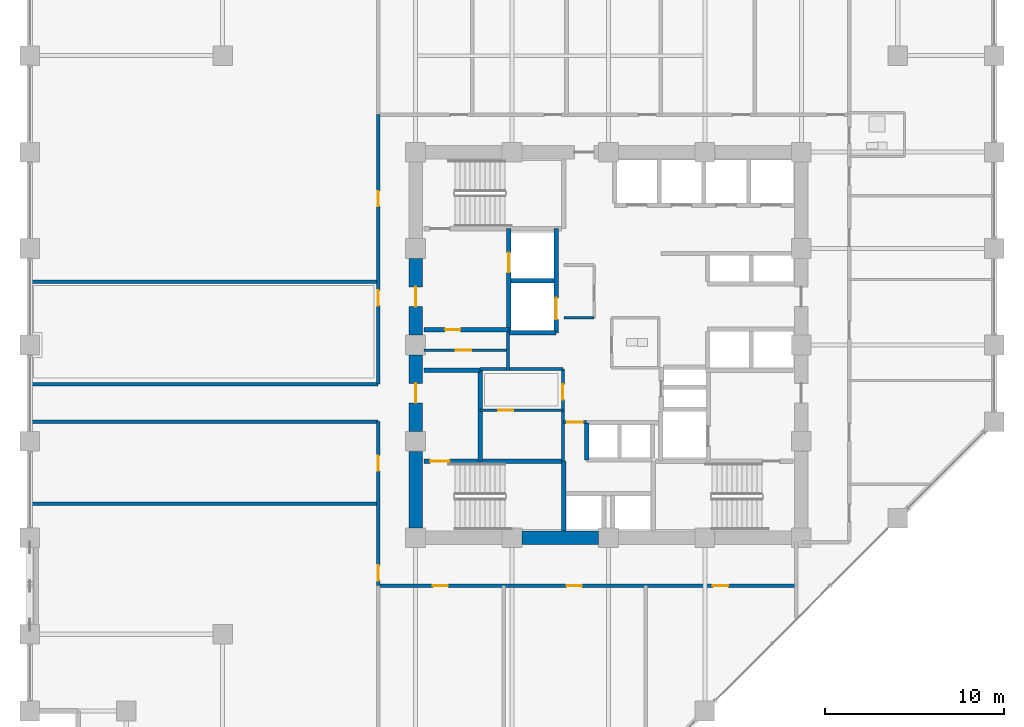
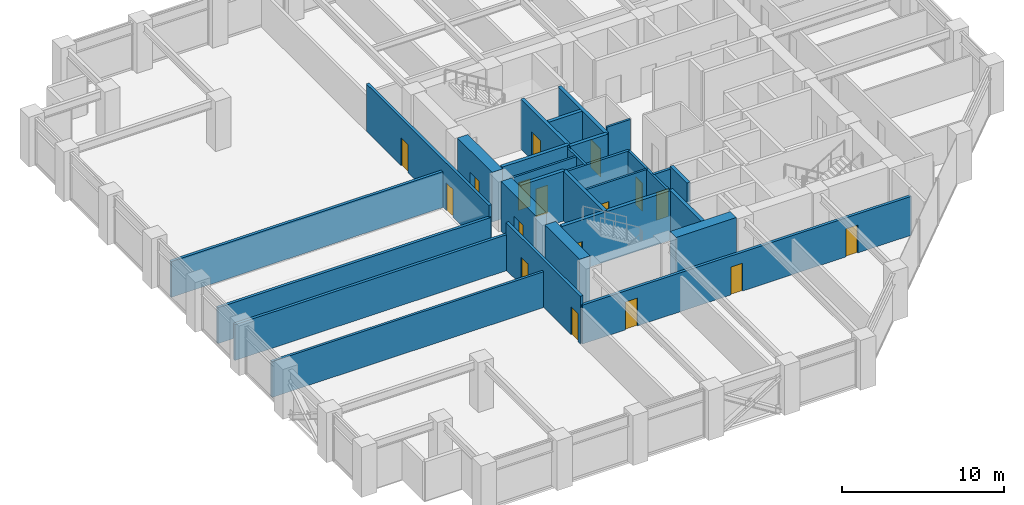
# One storey, part 19 of 25: 28 walls, 17 doors, 17 openings.
"""IFC4 building model written with IfcOpenShell, lengths in metres."""

from ifc_helpers import new_model, si_unit, direction, frame, frame_2d, origin, place, context, subcontext, project, spatial, rectangle, extrude, material, layer, layer_set, type_object, element, fill, save


model = new_model("IFC4")

# Units and contexts
model_context = context("Model", 3, precision=1e-05, world=origin(), true_north=direction((0.0, 1.0)))
body_context = subcontext(model_context, "Body", "Model", "MODEL_VIEW")
ifc_project = project(units=[si_unit("LENGTHUNIT", "METRE"), si_unit("AREAUNIT", "SQUARE_METRE"), si_unit("VOLUMEUNIT", "CUBIC_METRE"), si_unit("PLANEANGLEUNIT", "RADIAN"), si_unit("MASSUNIT", "GRAM", prefix="KILO")], contexts=[model_context])

# Site, building, storey
site_placement = place(None, origin())
site = spatial("IfcSite", under=ifc_project, at=site_placement, CompositionType="ELEMENT")
building_placement = place(site_placement, origin())
building = spatial("IfcBuilding", under=site, at=building_placement, Name="Surkhivell Harbour Commons", CompositionType="ELEMENT")
storey_placement = place(building_placement, frame((0.0, 0.0, 120.75)))
storey = spatial("IfcBuildingStorey", under=building, at=storey_placement, Name="L31", CompositionType="ELEMENT", Elevation=120.75)

# Walls
ifc_material_1 = material(Name="Concrete C60/75", Category="concrete")
ifc_layer_1 = layer(ifc_material_1, 0.75)
ifc_layer_set_1 = layer_set([ifc_layer_1], Name="Concrete C60/75")
wall_type_1 = type_object("IfcWallType", Name="WAL-CORE-750", PredefinedType="SHEAR", material=ifc_layer_set_1)
for number, where, z_axis, x_axis, name in (
    (1, (-10.800048828125, -10.239990234375, 0.0), (0.0, 0.0, 1.0), (0.0, 1.0, 0.0), "L31 Core Shear Wall West 1"),
    (2, (-4.840087890625, -10.800048828125, 0.0), (0.0, 0.0, 1.0), (1.0, 0.0, 0.0), "L31 Core Shear Wall South 2"),
):
    element("IfcWall", number, at=place(storey_placement, frame(where, z_axis=z_axis, x_axis=x_axis)), inside=storey, type_object=wall_type_1, Name=name, PredefinedType="SHEAR", context=body_context, shape_type="SweptSolid", body=[
        extrude(rectangle(XDim=4.280029296875, YDim=0.75, at=frame_2d((2.14013671875, 0.0))), origin(), (0.0, 0.0, 1.0), 3.75),
    ])

# Wall, opening, door
wall_1_placement = place(storey_placement, frame((-10.800048828125, -4.840087890625, 0.0), z_axis=(0.0, 0.0, 1.0), x_axis=(0.0, 1.0, 0.0)))
wall_1 = element("IfcWall", 3, at=wall_1_placement, inside=storey, type_object=wall_type_1, Name="L31 Core Shear Wall West 2", PredefinedType="SHEAR", context=body_context, shape_type="SweptSolid", body=[
    extrude(rectangle(XDim=4.280029296875, YDim=0.75, at=frame_2d((2.14013671875, 0.0))), origin(), (0.0, 0.0, 1.0), 3.75),
])
opening_1_placement = place(wall_1_placement, frame((1.590087890625, 0.0, 0.0)))
opening_1 = element("IfcOpeningElement", 4, at=opening_1_placement, cuts=wall_1, Name="Opening ID-2", PredefinedType="OPENING", context=body_context, shape_type="SweptSolid", body=[
    extrude(rectangle(XDim=1.10009765625, YDim=2.10009765625, at=frame_2d((0.550048828125, 1.050048828125))), frame((0.0, 0.385009765625, 0.0), z_axis=(0.0, -1.0, 0.0), x_axis=(1.0, 0.0, 0.0)), (0.0, 0.0, 1.0), 0.77001953125),
])
ifc_material_2 = material(Name="Hardwood-veneered fire-rated door leaf", Category="wood")
door_type_1 = type_object("IfcDoorType", Name="DOR-FD60-1100", OperationType="NOTDEFINED", PredefinedType="DOOR", material=ifc_material_2)
door_1_placement = place(opening_1_placement, origin())
door_1 = element("IfcDoor", 5, at=door_1_placement, inside=storey, type_object=door_type_1, Name="L31 Stair 3 Lobby Corridor Door", OperationType="SINGLE_SWING_LEFT", OverallHeight=2.10009765625, OverallWidth=1.10009765625, PredefinedType="DOOR", context=body_context, shape_type="SweptSolid", body=[
    extrude(rectangle(XDim=1.10009765625, YDim=2.10009765625, at=frame_2d((0.550048828125, 1.050048828125))), frame((0.0, 0.02490234375, 0.0), z_axis=(0.0, -1.0, 0.0), x_axis=(1.0, 0.0, 0.0)), (0.0, 0.0, 1.0), 0.050048828125),
])
fill(opening_1, door_1)

wall_2_placement = place(storey_placement, frame((-10.800048828125, 0.56005859375, 0.0), z_axis=(0.0, 0.0, 1.0), x_axis=(0.0, 1.0, 0.0)))
wall_2 = element("IfcWall", 6, at=wall_2_placement, inside=storey, type_object=wall_type_1, Name="L31 Core Shear Wall West 3", PredefinedType="SHEAR", context=body_context, shape_type="SweptSolid", body=[
    extrude(rectangle(XDim=4.280029296875, YDim=0.75, at=frame_2d((2.14013671875, 0.0))), origin(), (0.0, 0.0, 1.0), 3.75),
])
opening_2_placement = place(wall_2_placement, frame((1.590087890625, 0.0, 0.0)))
opening_2 = element("IfcOpeningElement", 7, at=opening_2_placement, cuts=wall_2, Name="Opening ID-1", PredefinedType="OPENING", context=body_context, shape_type="SweptSolid", body=[
    extrude(rectangle(XDim=1.10009765625, YDim=2.10009765625, at=frame_2d((0.550048828125, 1.050048828125))), frame((0.0, 0.385009765625, 0.0), z_axis=(0.0, -1.0, 0.0), x_axis=(1.0, 0.0, 0.0)), (0.0, 0.0, 1.0), 0.77001953125),
])
door_type_2 = type_object("IfcDoorType", Name="DOR-FD120-1100", OperationType="NOTDEFINED", PredefinedType="DOOR", material=ifc_material_2)
door_2_placement = place(opening_2_placement, origin())
door_2 = element("IfcDoor", 8, at=door_2_placement, inside=storey, type_object=door_type_2, Name="L31 Firefighting Lobby 1 Corridor Door", OperationType="SINGLE_SWING_LEFT", OverallHeight=2.10009765625, OverallWidth=1.10009765625, PredefinedType="DOOR", context=body_context, shape_type="SweptSolid", body=[
    extrude(rectangle(XDim=1.10009765625, YDim=2.10009765625, at=frame_2d((0.550048828125, 1.050048828125))), frame((0.0, 0.02490234375, 0.0), z_axis=(0.0, -1.0, 0.0), x_axis=(1.0, 0.0, 0.0)), (0.0, 0.0, 1.0), 0.050048828125),
])
fill(opening_2, door_2)

ifc_material_3 = material(Name="Twin-stud acoustic fireboard partition", Category="other")
ifc_layer_2 = layer(ifc_material_3, 0.14990234375)
ifc_layer_set_2 = layer_set([ifc_layer_2], Name="Twin-stud acoustic fireboard partition")
wall_type_2 = type_object("IfcWallType", Name="WAL-INT-150", PredefinedType="PARTITIONING", material=ifc_layer_set_2)
wall_3_placement = place(storey_placement, frame((-7.179931640625, -3.64990234375, 0.0), z_axis=(0.0, 0.0, 1.0), x_axis=(1.0, 0.0, 0.0)))
wall_3 = element("IfcWall", 9, at=wall_3_placement, inside=storey, type_object=wall_type_2, Name="L31 Core Cut C1 Partition", PredefinedType="PARTITIONING", context=body_context, shape_type="SweptSolid", body=[
    extrude(rectangle(XDim=4.6298828125, YDim=0.14990234375, at=frame_2d((2.31494140625, 0.0))), origin(), (0.0, 0.0, 1.0), 3.570068359375),
])
opening_3_placement = place(wall_3_placement, frame((1.0, 0.0, 0.0)))
opening_3 = element("IfcOpeningElement", 10, at=opening_3_placement, cuts=wall_3, Name="Opening ID-6", PredefinedType="OPENING", context=body_context, shape_type="SweptSolid", body=[
    extrude(rectangle(XDim=0.85009765625, YDim=2.10009765625, at=frame_2d((0.425048828125, 1.050048828125))), frame((0.0, 0.0849609375, 0.0), z_axis=(0.0, -1.0, 0.0), x_axis=(1.0, 0.0, 0.0)), (0.0, 0.0, 1.0), 0.169921875),
])
door_type_3 = type_object("IfcDoorType", Name="DOR-FD30-850", OperationType="NOTDEFINED", PredefinedType="DOOR", material=ifc_material_2)
door_3_placement = place(opening_3_placement, origin())
door_3 = element("IfcDoor", 11, at=door_3_placement, inside=storey, type_object=door_type_3, Name="L31 Cleaner Room Door", OperationType="SINGLE_SWING_LEFT", OverallHeight=2.10009765625, OverallWidth=0.85009765625, PredefinedType="DOOR", context=body_context, shape_type="SweptSolid", body=[
    extrude(rectangle(XDim=0.85009765625, YDim=2.10009765625, at=frame_2d((0.425048828125, 1.050048828125))), frame((0.0, 0.02490234375, 0.0), z_axis=(0.0, -1.0, 0.0), x_axis=(1.0, 0.0, 0.0)), (0.0, 0.0, 1.0), 0.050048828125),
])
fill(opening_3, door_3)

wall_4_placement = place(storey_placement, frame((-10.340087890625, -0.2900390625, 0.0), z_axis=(0.0, 0.0, 1.0), x_axis=(1.0, 0.0, 0.0)))
wall_4 = element("IfcWall", 12, at=wall_4_placement, inside=storey, type_object=wall_type_2, Name="L31 West Core Horizontal Cut", PredefinedType="PARTITIONING", context=body_context, shape_type="SweptSolid", body=[
    extrude(rectangle(XDim=4.719970703125, YDim=0.14990234375, at=frame_2d((2.35986328125, 0.0))), origin(), (0.0, 0.0, 1.0), 3.570068359375),
])
opening_4_placement = place(wall_4_placement, frame((1.800048828125, 0.0, 0.0)))
opening_4 = element("IfcOpeningElement", 13, at=opening_4_placement, cuts=wall_4, Name="Opening ID-6", PredefinedType="OPENING", context=body_context, shape_type="SweptSolid", body=[
    extrude(rectangle(XDim=0.85009765625, YDim=2.10009765625, at=frame_2d((0.425048828125, 1.050048828125))), frame((0.0, 0.0849609375, 0.0), z_axis=(0.0, -1.0, 0.0), x_axis=(1.0, 0.0, 0.0)), (0.0, 0.0, 1.0), 0.169921875),
])
door_4_placement = place(opening_4_placement, origin())
door_4 = element("IfcDoor", 14, at=door_4_placement, inside=storey, type_object=door_type_3, Name="L31 West Music Pod Door", OperationType="SINGLE_SWING_RIGHT", OverallHeight=2.10009765625, OverallWidth=0.85009765625, PredefinedType="DOOR", context=body_context, shape_type="SweptSolid", body=[
    extrude(rectangle(XDim=0.85009765625, YDim=2.10009765625, at=frame_2d((0.425048828125, 1.050048828125))), frame((0.0, 0.02490234375, 0.0), z_axis=(0.0, -1.0, 0.0), x_axis=(1.0, 0.0, 0.0)), (0.0, 0.0, 1.0), 0.050048828125),
])
fill(opening_4, door_4)

# Wall
wall_5_placement = place(storey_placement, frame((-2.47998046875, 1.52001953125, 0.0), z_axis=(0.0, 0.0, 1.0), x_axis=(1.0, 0.0, 0.0)))
element("IfcWall", 15, at=wall_5_placement, inside=storey, type_object=wall_type_2, Name="L31 Core Seminar South Wall", PredefinedType="PARTITIONING", context=body_context, shape_type="SweptSolid", body=[
    extrude(rectangle(XDim=1.679931640625, YDim=0.14990234375, at=frame_2d((0.83984375, 0.0))), origin(), (0.0, 0.0, 1.0), 3.570068359375),
])

# Wall, opening, door
ifc_material_4 = material(Name="High-density acoustic blockwork fire partition", Category="masonry")
ifc_layer_3 = layer(ifc_material_4, 0.175048828125)
ifc_layer_set_3 = layer_set([ifc_layer_3], Name="High-density acoustic blockwork fire partition")
wall_type_3 = type_object("IfcWallType", Name="WAL-INT-175", PredefinedType="PARTITIONING", material=ifc_layer_set_3)
wall_6_placement = place(storey_placement, frame((-2.550048828125, -6.510009765625, 0.0), z_axis=(0.0, 0.0, 1.0), x_axis=(0.0, 1.0, 0.0)))
wall_6 = element("IfcWall", 16, at=wall_6_placement, inside=storey, type_object=wall_type_3, Name="L31 Core Service Bay East Wall", PredefinedType="PARTITIONING", context=body_context, shape_type="SweptSolid", body=[
    extrude(rectangle(XDim=5.159912109375, YDim=0.175048828125, at=frame_2d((2.580078125, 0.0))), origin(), (0.0, 0.0, 1.0), 3.570068359375),
])
opening_5_placement = place(wall_6_placement, frame((3.449951171875, 0.0, 0.0)))
opening_5 = element("IfcOpeningElement", 17, at=opening_5_placement, cuts=wall_6, Name="Opening ID-6", PredefinedType="OPENING", context=body_context, shape_type="SweptSolid", body=[
    extrude(rectangle(XDim=0.85009765625, YDim=2.10009765625, at=frame_2d((0.425048828125, 1.050048828125))), frame((0.0, 0.097412109375, 0.0), z_axis=(0.0, -1.0, 0.0), x_axis=(1.0, 0.0, 0.0)), (0.0, 0.0, 1.0), 0.195068359375),
])
door_5_placement = place(opening_5_placement, origin())
door_5 = element("IfcDoor", 18, at=door_5_placement, inside=storey, type_object=door_type_3, Name="L31 Core Seminar Door", OperationType="SINGLE_SWING_LEFT", OverallHeight=2.10009765625, OverallWidth=0.85009765625, PredefinedType="DOOR", context=body_context, shape_type="SweptSolid", body=[
    extrude(rectangle(XDim=0.85009765625, YDim=2.10009765625, at=frame_2d((0.425048828125, 1.050048828125))), frame((0.0, 0.02490234375, 0.0), z_axis=(0.0, -1.0, 0.0), x_axis=(1.0, 0.0, 0.0)), (0.0, 0.0, 1.0), 0.050048828125),
])
fill(opening_5, door_5)

# Walls
wall_7_placement = place(storey_placement, frame((-7.179931640625, -1.35009765625, 0.0), z_axis=(0.0, 0.0, 1.0), x_axis=(1.0, 0.0, 0.0)))
element("IfcWall", 19, at=wall_7_placement, inside=storey, type_object=wall_type_3, Name="L31 Core Service Bay North Wall", PredefinedType="PARTITIONING", context=body_context, shape_type="SweptSolid", body=[
    extrude(rectangle(XDim=4.6298828125, YDim=0.175048828125, at=frame_2d((2.31494140625, 0.0))), origin(), (0.0, 0.0, 1.0), 3.570068359375),
])
wall_8_placement = place(storey_placement, frame((-5.6201171875, -1.419921875, 0.0), z_axis=(0.0, 0.0, 1.0), x_axis=(0.0, 1.0, 0.0)))
element("IfcWall", 20, at=wall_8_placement, inside=storey, type_object=wall_type_3, Name="L31 West Core Bay East Wall", PredefinedType="PARTITIONING", context=body_context, shape_type="SweptSolid", body=[
    extrude(rectangle(XDim=2.139892578125, YDim=0.175048828125, at=frame_2d((1.06982421875, 0.0))), origin(), (0.0, 0.0, 1.0), 3.570068359375),
])

# Wall, opening, door
wall_9_placement = place(storey_placement, frame((-2.52001953125, -4.320068359375, 0.0), z_axis=(0.0, 0.0, 1.0), x_axis=(1.0, 0.0, 0.0)))
wall_9 = element("IfcWall", 21, at=wall_9_placement, inside=storey, type_object=wall_type_3, Name="L31 High-Rise Lobby North Portal Wall", PredefinedType="PARTITIONING", context=body_context, shape_type="SweptSolid", body=[
    extrude(rectangle(XDim=1.300048828125, YDim=0.175048828125, at=frame_2d((0.64990234375, 0.0))), origin(), (0.0, 0.0, 1.0), 3.570068359375),
])
opening_6_placement = place(wall_9_placement, frame((0.219970703125, 0.0, 0.0)))
opening_6 = element("IfcOpeningElement", 22, at=opening_6_placement, cuts=wall_9, Name="Opening ID-6", PredefinedType="OPENING", context=body_context, shape_type="SweptSolid", body=[
    extrude(rectangle(XDim=0.85009765625, YDim=2.10009765625, at=frame_2d((0.425048828125, 1.050048828125))), frame((0.0, 0.097412109375, 0.0), z_axis=(0.0, -1.0, 0.0), x_axis=(1.0, 0.0, 0.0)), (0.0, 0.0, 1.0), 0.195068359375),
])
door_6_placement = place(opening_6_placement, origin())
door_6 = element("IfcDoor", 23, at=door_6_placement, inside=storey, type_object=door_type_3, Name="L31 High-Rise Lift Lobby North Door", OperationType="SINGLE_SWING_LEFT", OverallHeight=2.10009765625, OverallWidth=0.85009765625, PredefinedType="DOOR", context=body_context, shape_type="SweptSolid", body=[
    extrude(rectangle(XDim=0.85009765625, YDim=2.10009765625, at=frame_2d((0.425048828125, 1.050048828125))), frame((0.0, 0.02490234375, 0.0), z_axis=(0.0, -1.0, 0.0), x_axis=(1.0, 0.0, 0.0)), (0.0, 0.0, 1.0), 0.050048828125),
])
fill(opening_6, door_6)

# Wall
wall_10_placement = place(storey_placement, frame((-32.340087890625, -8.889892578125, 0.0), z_axis=(0.0, 0.0, 1.0), x_axis=(1.0, 0.0, 0.0)))
element("IfcWall", 24, at=wall_10_placement, inside=storey, type_object=wall_type_3, Name="L31 South-West Partition P1", PredefinedType="PARTITIONING", context=body_context, shape_type="SweptSolid", body=[
    extrude(rectangle(XDim=19.440185546875, YDim=0.175048828125, at=frame_2d((9.72021484375, 0.0))), origin(), (0.0, 0.0, 1.0), 2.698974609375),
])

# Wall, openings, doors
ifc_material_5 = material(Name="Autoclaved aerated concrete blockwork and fire plaster", Category="masonry")
ifc_layer_4 = layer(ifc_material_5, 0.199951171875)
ifc_layer_set_4 = layer_set([ifc_layer_4], Name="Autoclaved aerated concrete blockwork and fire plaster")
wall_type_4 = type_object("IfcWallType", Name="WAL-INT-200", PredefinedType="PARTITIONING", material=ifc_layer_set_4)
wall_11_placement = place(storey_placement, frame((-12.89990234375, -13.47998046875, 0.0), z_axis=(0.0, 0.0, 1.0), x_axis=(1.0, 0.0, 0.0)))
wall_11 = element("IfcWall", 25, at=wall_11_placement, inside=storey, type_object=wall_type_4, Name="L31 Corridor South Wall", PredefinedType="PARTITIONING", context=body_context, shape_type="SweptSolid", body=[
    extrude(rectangle(XDim=23.419921875, YDim=0.199951171875, at=frame_2d((11.7099609375, 0.0))), origin(), (0.0, 0.0, 1.0), 2.93310546875),
])
opening_7_placement = place(wall_11_placement, frame((3.06494140625, 0.0, 0.0)))
opening_7 = element("IfcOpeningElement", 26, at=opening_7_placement, cuts=wall_11, Name="Opening ID-6", PredefinedType="OPENING", context=body_context, shape_type="SweptSolid", body=[
    extrude(rectangle(XDim=0.85009765625, YDim=2.10009765625, at=frame_2d((0.425048828125, 1.050048828125))), frame((0.0, 0.10986328125, 0.0), z_axis=(0.0, -1.0, 0.0), x_axis=(1.0, 0.0, 0.0)), (0.0, 0.0, 1.0), 0.219970703125),
])
opening_8_placement = place(wall_11_placement, frame((10.56005859375, 0.0, 0.0)))
opening_8 = element("IfcOpeningElement", 27, at=opening_8_placement, cuts=wall_11, Name="Opening ID-6", PredefinedType="OPENING", context=body_context, shape_type="SweptSolid", body=[
    extrude(rectangle(XDim=0.85009765625, YDim=2.10009765625, at=frame_2d((0.425048828125, 1.050048828125))), frame((0.0, 0.10986328125, 0.0), z_axis=(0.0, -1.0, 0.0), x_axis=(1.0, 0.0, 0.0)), (0.0, 0.0, 1.0), 0.219970703125),
])
opening_9_placement = place(wall_11_placement, frame((18.7548828125, 0.0, 0.0)))
opening_9 = element("IfcOpeningElement", 28, at=opening_9_placement, cuts=wall_11, Name="Opening ID-6", PredefinedType="OPENING", context=body_context, shape_type="SweptSolid", body=[
    extrude(rectangle(XDim=0.85009765625, YDim=2.10009765625, at=frame_2d((0.425048828125, 1.050048828125))), frame((0.0, 0.10986328125, 0.0), z_axis=(0.0, -1.0, 0.0), x_axis=(1.0, 0.0, 0.0)), (0.0, 0.0, 1.0), 0.219970703125),
])
door_7_placement = place(opening_7_placement, origin())
door_7 = element("IfcDoor", 29, at=door_7_placement, inside=storey, type_object=door_type_3, Name="L31 Resident Tutor Staff Room 1 South Door", OperationType="SINGLE_SWING_LEFT", OverallHeight=2.10009765625, OverallWidth=0.85009765625, PredefinedType="DOOR", context=body_context, shape_type="SweptSolid", body=[
    extrude(rectangle(XDim=0.85009765625, YDim=2.10009765625, at=frame_2d((0.425048828125, 1.050048828125))), frame((0.0, 0.02490234375, 0.0), z_axis=(0.0, -1.0, 0.0), x_axis=(1.0, 0.0, 0.0)), (0.0, 0.0, 1.0), 0.050048828125),
])
fill(opening_7, door_7)
door_8_placement = place(opening_8_placement, origin())
door_8 = element("IfcDoor", 30, at=door_8_placement, inside=storey, type_object=door_type_3, Name="L31 Resident Warden Staff Office 2 South Door", OperationType="SINGLE_SWING_RIGHT", OverallHeight=2.10009765625, OverallWidth=0.85009765625, PredefinedType="DOOR", context=body_context, shape_type="SweptSolid", body=[
    extrude(rectangle(XDim=0.85009765625, YDim=2.10009765625, at=frame_2d((0.425048828125, 1.050048828125))), frame((0.0, 0.02490234375, 0.0), z_axis=(0.0, -1.0, 0.0), x_axis=(1.0, 0.0, 0.0)), (0.0, 0.0, 1.0), 0.050048828125),
])
fill(opening_8, door_8)
door_9_placement = place(opening_9_placement, origin())
door_9 = element("IfcDoor", 31, at=door_9_placement, inside=storey, type_object=door_type_3, Name="L31 Campus Bursar Staff Office 3 South Door", OperationType="SINGLE_SWING_LEFT", OverallHeight=2.10009765625, OverallWidth=0.85009765625, PredefinedType="DOOR", context=body_context, shape_type="SweptSolid", body=[
    extrude(rectangle(XDim=0.85009765625, YDim=2.10009765625, at=frame_2d((0.425048828125, 1.050048828125))), frame((0.0, 0.02490234375, 0.0), z_axis=(0.0, -1.0, 0.0), x_axis=(1.0, 0.0, 0.0)), (0.0, 0.0, 1.0), 0.050048828125),
])
fill(opening_9, door_9)

# Walls
for number, where, z_axis, x_axis, name in (
    (32, (-32.340087890625, -2.199951171875, 0.0), (0.0, 0.0, 1.0), (1.0, 0.0, 0.0), "L31 West Alcove North Wall"),
    (33, (-32.340087890625, -4.300048828125, 0.0), (0.0, 0.0, 1.0), (1.0, 0.0, 0.0), "L31 West Alcove South Wall"),
):
    element("IfcWall", number, at=place(storey_placement, frame(where, z_axis=z_axis, x_axis=x_axis)), inside=storey, type_object=wall_type_4, Name=name, PredefinedType="PARTITIONING", context=body_context, shape_type="SweptSolid", body=[
        extrude(rectangle(XDim=19.440185546875, YDim=0.199951171875, at=frame_2d((9.72021484375, 0.0))), origin(), (0.0, 0.0, 1.0), 2.698974609375),
    ])

# Wall, openings, doors
wall_12_placement = place(storey_placement, frame((-12.89990234375, -2.199951171875, 0.0), z_axis=(0.0, 0.0, 1.0), x_axis=(0.0, 1.0, 0.0)))
wall_12 = element("IfcWall", 34, at=wall_12_placement, inside=storey, type_object=wall_type_4, Name="L31 Corridor West-Upper Wall", PredefinedType="PARTITIONING", context=body_context, shape_type="SweptSolid", body=[
    extrude(rectangle(XDim=15.099853515625, YDim=0.199951171875, at=frame_2d((7.5498046875, 0.0))), origin(), (0.0, 0.0, 1.0), 3.570068359375),
])
opening_10_placement = place(wall_12_placement, frame((4.40380859375, 0.0, 0.0)))
opening_10 = element("IfcOpeningElement", 35, at=opening_10_placement, cuts=wall_12, Name="Opening ID-6", PredefinedType="OPENING", context=body_context, shape_type="SweptSolid", body=[
    extrude(rectangle(XDim=0.85009765625, YDim=2.10009765625, at=frame_2d((0.425048828125, 1.050048828125))), frame((0.0, 0.10986328125, 0.0), z_axis=(0.0, -1.0, 0.0), x_axis=(1.0, 0.0, 0.0)), (0.0, 0.0, 1.0), 0.219970703125),
])
opening_11_placement = place(wall_12_placement, frame((9.969970703125, 0.0, 0.0)))
opening_11 = element("IfcOpeningElement", 36, at=opening_11_placement, cuts=wall_12, Name="Opening ID-6", PredefinedType="OPENING", context=body_context, shape_type="SweptSolid", body=[
    extrude(rectangle(XDim=0.85009765625, YDim=2.10009765625, at=frame_2d((0.425048828125, 1.050048828125))), frame((0.0, 0.10986328125, 0.0), z_axis=(0.0, -1.0, 0.0), x_axis=(1.0, 0.0, 0.0)), (0.0, 0.0, 1.0), 0.219970703125),
])
door_10_placement = place(opening_10_placement, origin())
door_10 = element("IfcDoor", 37, at=door_10_placement, inside=storey, type_object=door_type_3, Name="L31 Harbour Reading Library North-West Door", OperationType="SINGLE_SWING_RIGHT", OverallHeight=2.10009765625, OverallWidth=0.85009765625, PredefinedType="DOOR", context=body_context, shape_type="SweptSolid", body=[
    extrude(rectangle(XDim=0.85009765625, YDim=2.10009765625, at=frame_2d((0.425048828125, 1.050048828125))), frame((0.0, 0.02490234375, 0.0), z_axis=(0.0, -1.0, 0.0), x_axis=(1.0, 0.0, 0.0)), (0.0, 0.0, 1.0), 0.050048828125),
])
fill(opening_10, door_10)
door_11_placement = place(opening_11_placement, origin())
door_11 = element("IfcDoor", 38, at=door_11_placement, inside=storey, type_object=door_type_3, Name="L31 Communal Dining Hall North-West Door", OperationType="SINGLE_SWING_LEFT", OverallHeight=2.10009765625, OverallWidth=0.85009765625, PredefinedType="DOOR", context=body_context, shape_type="SweptSolid", body=[
    extrude(rectangle(XDim=0.85009765625, YDim=2.10009765625, at=frame_2d((0.425048828125, 1.050048828125))), frame((0.0, 0.02490234375, 0.0), z_axis=(0.0, -1.0, 0.0), x_axis=(1.0, 0.0, 0.0)), (0.0, 0.0, 1.0), 0.050048828125),
])
fill(opening_11, door_11)

wall_13_placement = place(storey_placement, frame((-12.89990234375, -13.47998046875, 0.0), z_axis=(0.0, 0.0, 1.0), x_axis=(0.0, 1.0, 0.0)))
wall_13 = element("IfcWall", 39, at=wall_13_placement, inside=storey, type_object=wall_type_4, Name="L31 Corridor West-Lower Wall", PredefinedType="PARTITIONING", context=body_context, shape_type="SweptSolid", body=[
    extrude(rectangle(XDim=9.179931640625, YDim=0.199951171875, at=frame_2d((4.58984375, 0.0))), origin(), (0.0, 0.0, 1.0), 3.570068359375),
])
opening_12_placement = place(wall_13_placement, frame((0.280029296875, 0.0, 0.0)))
opening_12 = element("IfcOpeningElement", 40, at=opening_12_placement, cuts=wall_13, Name="Opening ID-6", PredefinedType="OPENING", context=body_context, shape_type="SweptSolid", body=[
    extrude(rectangle(XDim=0.85009765625, YDim=2.10009765625, at=frame_2d((0.425048828125, 1.050048828125))), frame((0.0, 0.10986328125, 0.0), z_axis=(0.0, -1.0, 0.0), x_axis=(1.0, 0.0, 0.0)), (0.0, 0.0, 1.0), 0.219970703125),
])
opening_13_placement = place(wall_13_placement, frame((6.43505859375, 0.0, 0.0)))
opening_13 = element("IfcOpeningElement", 41, at=opening_13_placement, cuts=wall_13, Name="Opening ID-6", PredefinedType="OPENING", context=body_context, shape_type="SweptSolid", body=[
    extrude(rectangle(XDim=0.85009765625, YDim=2.10009765625, at=frame_2d((0.425048828125, 1.050048828125))), frame((0.0, 0.10986328125, 0.0), z_axis=(0.0, -1.0, 0.0), x_axis=(1.0, 0.0, 0.0)), (0.0, 0.0, 1.0), 0.219970703125),
])
door_12_placement = place(opening_12_placement, origin())
door_12 = element("IfcDoor", 42, at=door_12_placement, inside=storey, type_object=door_type_3, Name="L31 Campus Co-Op Bookshop South-West Door", OperationType="SINGLE_SWING_RIGHT", OverallHeight=2.10009765625, OverallWidth=0.85009765625, PredefinedType="DOOR", context=body_context, shape_type="SweptSolid", body=[
    extrude(rectangle(XDim=0.85009765625, YDim=2.10009765625, at=frame_2d((0.425048828125, 1.050048828125))), frame((0.0, 0.02490234375, 0.0), z_axis=(0.0, -1.0, 0.0), x_axis=(1.0, 0.0, 0.0)), (0.0, 0.0, 1.0), 0.050048828125),
])
fill(opening_12, door_12)
door_13_placement = place(opening_13_placement, origin())
door_13 = element("IfcDoor", 43, at=door_13_placement, inside=storey, type_object=door_type_3, Name="L31 Harbour Espresso Cafe Shop South-West Door", OperationType="SINGLE_SWING_LEFT", OverallHeight=2.10009765625, OverallWidth=0.85009765625, PredefinedType="DOOR", context=body_context, shape_type="SweptSolid", body=[
    extrude(rectangle(XDim=0.85009765625, YDim=2.10009765625, at=frame_2d((0.425048828125, 1.050048828125))), frame((0.0, 0.02490234375, 0.0), z_axis=(0.0, -1.0, 0.0), x_axis=(1.0, 0.0, 0.0)), (0.0, 0.0, 1.0), 0.050048828125),
])
fill(opening_13, door_13)

# Wall
wall_14_placement = place(storey_placement, frame((-32.340087890625, 3.5400390625, 0.0), z_axis=(0.0, 0.0, 1.0), x_axis=(1.0, 0.0, 0.0)))
element("IfcWall", 44, at=wall_14_placement, inside=storey, type_object=wall_type_4, Name="L31 North-West Partition P1", PredefinedType="PARTITIONING", context=body_context, shape_type="SweptSolid", body=[
    extrude(rectangle(XDim=19.440185546875, YDim=0.199951171875, at=frame_2d((9.72021484375, 0.0))), origin(), (0.0, 0.0, 1.0), 2.698974609375),
])

# Wall, opening, door
ifc_material_6 = material(Name="Concrete C50/60", Category="concrete")
ifc_layer_5 = layer(ifc_material_6, 0.25)
ifc_layer_set_5 = layer_set([ifc_layer_5], Name="Concrete C50/60")
wall_type_5 = type_object("IfcWallType", Name="WAL-SHAFT-250", PredefinedType="SHEAR", material=ifc_layer_set_5)
wall_15_placement = place(storey_placement, frame((-5.580078125, 0.719970703125, 0.0), z_axis=(0.0, 0.0, 1.0), x_axis=(0.0, 1.0, 0.0)))
wall_15 = element("IfcWall", 45, at=wall_15_placement, inside=storey, type_object=wall_type_5, Name="L31 Firefighting Lobby 1 East Shaft Wall", PredefinedType="SHEAR", context=body_context, shape_type="SweptSolid", body=[
    extrude(rectangle(XDim=5.7900390625, YDim=0.25, at=frame_2d((2.89501953125, 0.0))), origin(), (0.0, 0.0, 1.0), 3.75),
])
opening_14_placement = place(wall_15_placement, frame((3.35009765625, 0.0, 0.0)))
opening_14 = element("IfcOpeningElement", 46, at=opening_14_placement, cuts=wall_15, Name="Opening LD-1", PredefinedType="OPENING", context=body_context, shape_type="SweptSolid", body=[
    extrude(rectangle(XDim=1.10009765625, YDim=2.10009765625, at=frame_2d((0.550048828125, 1.050048828125))), frame((0.0, 0.135009765625, 0.0), z_axis=(0.0, -1.0, 0.0), x_axis=(1.0, 0.0, 0.0)), (0.0, 0.0, 1.0), 0.27001953125),
])
ifc_material_7 = material(Name="Brushed stainless steel S355", Category="steel")
door_type_4 = type_object("IfcDoorType", Name="DOR-LD-1100", OperationType="SLIDING_TO_LEFT", PredefinedType="DOOR", material=ifc_material_7)
door_14_placement = place(opening_14_placement, origin())
door_14 = element("IfcDoor", 47, at=door_14_placement, inside=storey, type_object=door_type_4, Name="L31 Lift Landing Door LD-FFL1", OperationType="SLIDING_TO_LEFT", OverallHeight=2.10009765625, OverallWidth=1.10009765625, PredefinedType="DOOR", context=body_context, shape_type="SweptSolid", body=[
    extrude(rectangle(XDim=1.10009765625, YDim=2.10009765625, at=frame_2d((0.550048828125, 1.050048828125))), frame((0.0, 0.02490234375, 0.0), z_axis=(0.0, -1.0, 0.0), x_axis=(1.0, 0.0, 0.0)), (0.0, 0.0, 1.0), 0.050048828125),
])
fill(opening_14, door_14)

wall_16_placement = place(storey_placement, frame((-10.340087890625, 0.85009765625, 0.0), z_axis=(0.0, 0.0, 1.0), x_axis=(1.0, 0.0, 0.0)))
wall_16 = element("IfcWall", 48, at=wall_16_placement, inside=storey, type_object=wall_type_5, Name="L31 Firefighting Lobby 1 South Wall", PredefinedType="SHEAR", context=body_context, shape_type="SweptSolid", body=[
    extrude(rectangle(XDim=4.760009765625, YDim=0.25, at=frame_2d((2.3798828125, 0.0))), origin(), (0.0, 0.0, 1.0), 3.75),
])
opening_15_placement = place(wall_16_placement, frame((1.199951171875, 0.0, 0.0)))
opening_15 = element("IfcOpeningElement", 49, at=opening_15_placement, cuts=wall_16, Name="Opening ID-6", PredefinedType="OPENING", context=body_context, shape_type="SweptSolid", body=[
    extrude(rectangle(XDim=0.85009765625, YDim=2.10009765625, at=frame_2d((0.425048828125, 1.050048828125))), frame((0.0, 0.135009765625, 0.0), z_axis=(0.0, -1.0, 0.0), x_axis=(1.0, 0.0, 0.0)), (0.0, 0.0, 1.0), 0.27001953125),
])
door_15_placement = place(opening_15_placement, origin())
door_15 = element("IfcDoor", 50, at=door_15_placement, inside=storey, type_object=door_type_3, Name="L31 West Reading Alcove Door", OperationType="SINGLE_SWING_LEFT", OverallHeight=2.10009765625, OverallWidth=0.85009765625, PredefinedType="DOOR", context=body_context, shape_type="SweptSolid", body=[
    extrude(rectangle(XDim=0.85009765625, YDim=2.10009765625, at=frame_2d((0.425048828125, 1.050048828125))), frame((0.0, 0.02490234375, 0.0), z_axis=(0.0, -1.0, 0.0), x_axis=(1.0, 0.0, 0.0)), (0.0, 0.0, 1.0), 0.050048828125),
])
fill(opening_15, door_15)

# Walls
wall_17_placement = place(storey_placement, frame((-1.219970703125, -6.43994140625, 0.0), z_axis=(0.0, 0.0, 1.0), x_axis=(0.0, 1.0, 0.0)))
element("IfcWall", 51, at=wall_17_placement, inside=storey, type_object=wall_type_5, Name="L31 High-Rise Passage East Shaft Wall", PredefinedType="SHEAR", context=body_context, shape_type="SweptSolid", body=[
    extrude(rectangle(XDim=2.079833984375, YDim=0.25, at=frame_2d((1.0400390625, 0.0))), origin(), (0.0, 0.0, 1.0), 3.75),
])
wall_18_placement = place(storey_placement, frame((-2.510009765625, -10.425048828125, 0.0), z_axis=(0.0, 0.0, 1.0), x_axis=(0.0, 1.0, 0.0)))
element("IfcWall", 52, at=wall_18_placement, inside=storey, type_object=wall_type_5, Name="L31 Stair ST3 East Shear Wall", PredefinedType="SHEAR", context=body_context, shape_type="SweptSolid", body=[
    extrude(rectangle(XDim=3.9150390625, YDim=0.25, at=frame_2d((1.95751953125, 0.0))), origin(), (0.0, 0.0, 1.0), 3.75),
])
wall_19_placement = place(storey_placement, frame((-7.179931640625, -6.510009765625, 0.0), z_axis=(0.0, 0.0, 1.0), x_axis=(0.0, 1.0, 0.0)))
element("IfcWall", 53, at=wall_19_placement, inside=storey, type_object=wall_type_5, Name="L31 Stair 3 Lobby East Wall", PredefinedType="SHEAR", context=body_context, shape_type="SweptSolid", body=[
    extrude(rectangle(XDim=5.090087890625, YDim=0.25, at=frame_2d((2.544921875, 0.0))), origin(), (0.0, 0.0, 1.0), 3.75),
])
wall_20_placement = place(storey_placement, frame((-10.340087890625, -1.419921875, 0.0), z_axis=(0.0, 0.0, 1.0), x_axis=(1.0, 0.0, 0.0)))
element("IfcWall", 54, at=wall_20_placement, inside=storey, type_object=wall_type_5, Name="L31 Stair 3 Lobby North Wall", PredefinedType="SHEAR", context=body_context, shape_type="SweptSolid", body=[
    extrude(rectangle(XDim=3.16015625, YDim=0.25, at=frame_2d((1.580078125, 0.0))), origin(), (0.0, 0.0, 1.0), 3.75),
])

# Wall, opening, door
wall_21_placement = place(storey_placement, frame((-10.340087890625, -6.510009765625, 0.0), z_axis=(0.0, 0.0, 1.0), x_axis=(1.0, 0.0, 0.0)))
wall_21 = element("IfcWall", 55, at=wall_21_placement, inside=storey, type_object=wall_type_5, Name="L31 Stair ST3 North Shear Wall", PredefinedType="SHEAR", context=body_context, shape_type="SweptSolid", body=[
    extrude(rectangle(XDim=7.7001953125, YDim=0.25, at=frame_2d((3.85009765625, 0.0))), origin(), (0.0, 0.0, 1.0), 3.75),
])
opening_16_placement = place(wall_21_placement, frame((0.35009765625, 0.0, 0.0)))
opening_16 = element("IfcOpeningElement", 56, at=opening_16_placement, cuts=wall_21, Name="Opening ID-2", PredefinedType="OPENING", context=body_context, shape_type="SweptSolid", body=[
    extrude(rectangle(XDim=1.10009765625, YDim=2.10009765625, at=frame_2d((0.550048828125, 1.050048828125))), frame((0.0, 0.135009765625, 0.0), z_axis=(0.0, -1.0, 0.0), x_axis=(1.0, 0.0, 0.0)), (0.0, 0.0, 1.0), 0.27001953125),
])
door_16_placement = place(opening_16_placement, origin())
door_16 = element("IfcDoor", 57, at=door_16_placement, inside=storey, type_object=door_type_1, Name="L31 Stair ST3 Exit Door", OperationType="SINGLE_SWING_RIGHT", OverallHeight=2.10009765625, OverallWidth=1.10009765625, PredefinedType="DOOR", context=body_context, shape_type="SweptSolid", body=[
    extrude(rectangle(XDim=1.10009765625, YDim=2.10009765625, at=frame_2d((0.550048828125, 1.050048828125))), frame((0.0, 0.02490234375, 0.0), z_axis=(0.0, -1.0, 0.0), x_axis=(1.0, 0.0, 0.0)), (0.0, 0.0, 1.0), 0.050048828125),
])
fill(opening_16, door_16)

wall_22_placement = place(storey_placement, frame((-2.929931640625, 0.679931640625, 0.0), z_axis=(0.0, 0.0, 1.0), x_axis=(0.0, 1.0, 0.0)))
wall_22 = element("IfcWall", 58, at=wall_22_placement, inside=storey, type_object=wall_type_5, Name="L31 Service and Fire Lift East Shaft Wall", PredefinedType="SHEAR", context=body_context, shape_type="SweptSolid", body=[
    extrude(rectangle(XDim=5.830078125, YDim=0.25, at=frame_2d((2.9150390625, 0.0))), origin(), (0.0, 0.0, 1.0), 3.75),
])
opening_17_placement = place(wall_22_placement, frame((0.75, 0.0, 0.0)))
opening_17 = element("IfcOpeningElement", 59, at=opening_17_placement, cuts=wall_22, Name="Opening LD-2", PredefinedType="OPENING", context=body_context, shape_type="SweptSolid", body=[
    extrude(rectangle(XDim=1.199951171875, YDim=2.10009765625, at=frame_2d((0.60009765625, 1.050048828125))), frame((0.0, 0.135009765625, 0.0), z_axis=(0.0, -1.0, 0.0), x_axis=(1.0, 0.0, 0.0)), (0.0, 0.0, 1.0), 0.27001953125),
])
door_type_5 = type_object("IfcDoorType", Name="DOR-LD-1200", OperationType="SLIDING_TO_LEFT", PredefinedType="DOOR", material=ifc_material_7)
door_17_placement = place(opening_17_placement, origin())
door_17 = element("IfcDoor", 60, at=door_17_placement, inside=storey, type_object=door_type_5, Name="L31 Lift Landing Door LD-SVL1", OperationType="SLIDING_TO_LEFT", OverallHeight=2.10009765625, OverallWidth=1.199951171875, PredefinedType="DOOR", context=body_context, shape_type="SweptSolid", body=[
    extrude(rectangle(XDim=1.199951171875, YDim=2.10009765625, at=frame_2d((0.60009765625, 1.050048828125))), frame((0.0, 0.02490234375, 0.0), z_axis=(0.0, -1.0, 0.0), x_axis=(1.0, 0.0, 0.0)), (0.0, 0.0, 1.0), 0.050048828125),
])
fill(opening_17, door_17)

# Walls
wall_23_placement = place(storey_placement, frame((-5.449951171875, 3.60009765625, 0.0), z_axis=(0.0, 0.0, 1.0), x_axis=(1.0, 0.0, 0.0)))
element("IfcWall", 61, at=wall_23_placement, inside=storey, type_object=wall_type_5, Name="L31 FFL1/SVL1 Shaft Divider", PredefinedType="SHEAR", context=body_context, shape_type="SweptSolid", body=[
    extrude(rectangle(XDim=2.389892578125, YDim=0.25, at=frame_2d((1.19482421875, 0.0))), origin(), (0.0, 0.0, 1.0), 3.75),
])
wall_24_placement = place(storey_placement, frame((-5.580078125, 0.679931640625, 0.0), z_axis=(0.0, 0.0, 1.0), x_axis=(1.0, 0.0, 0.0)))
element("IfcWall", 62, at=wall_24_placement, inside=storey, type_object=wall_type_5, Name="L31 SVL1 South Shaft Wall", PredefinedType="SHEAR", context=body_context, shape_type="SweptSolid", body=[
    extrude(rectangle(XDim=2.650146484375, YDim=0.25, at=frame_2d((1.3251953125, 0.0))), origin(), (0.0, 0.0, 1.0), 3.75),
])

save(model, "model.ifc")
